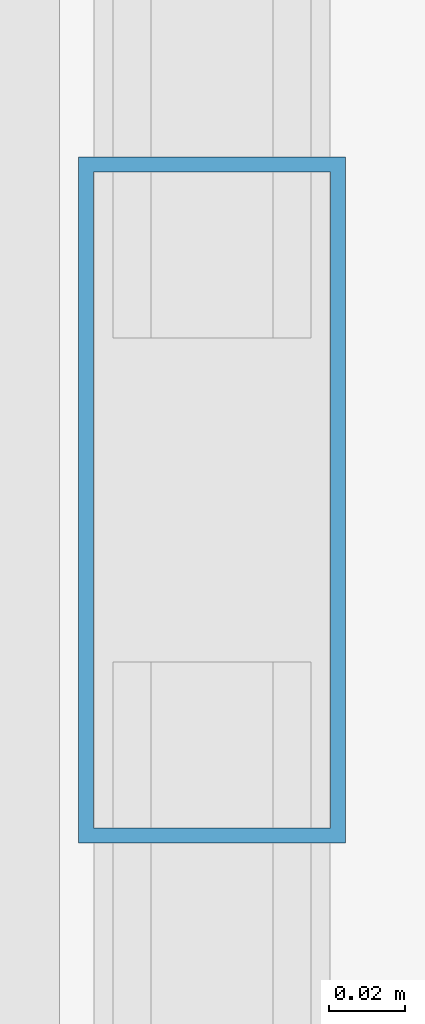
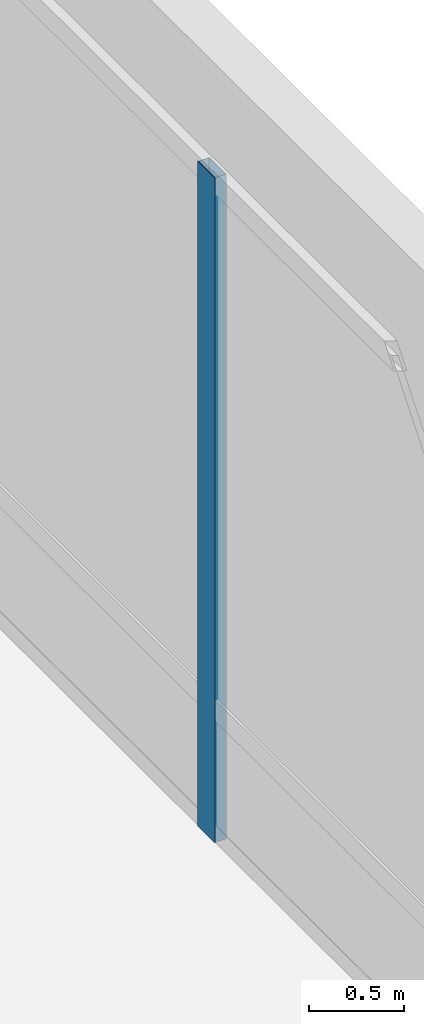
# One storey, part 14 of 28: 1 member, 1 element without a shape of its own.
"""IFC4 building model written with IfcOpenShell, lengths in metres."""

from ifc_helpers import new_model, si_unit, direction, frame, origin, origin_2d, place, context, subcontext, project, spatial, hollow_rectangle, extrude, material, material_profile, profile_set, type_object, element, aggregate, save


model = new_model("IFC4")

# Units and contexts
model_context = context("Model", 3, precision=1e-05, world=origin(), true_north=direction((0.0, 1.0)))
body_context = subcontext(model_context, "Body", "Model", "MODEL_VIEW")
ifc_project = project(units=[si_unit("LENGTHUNIT", "METRE"), si_unit("AREAUNIT", "SQUARE_METRE"), si_unit("VOLUMEUNIT", "CUBIC_METRE"), si_unit("PLANEANGLEUNIT", "RADIAN"), si_unit("MASSUNIT", "GRAM", prefix="KILO")], contexts=[model_context])

# Site, building, storey
site_placement = place(None, origin())
site = spatial("IfcSite", under=ifc_project, at=site_placement, CompositionType="ELEMENT")
building_placement = place(site_placement, origin())
building = spatial("IfcBuilding", under=site, at=building_placement, Name="Punatoya Terracotta Tower", CompositionType="ELEMENT")
storey_placement = place(building_placement, frame((0.0, 0.0, 352.800048828125)))
storey = spatial("IfcBuildingStorey", under=building, at=storey_placement, Name="L83", CompositionType="ELEMENT", Elevation=352.800048828125)

# Curtain wall, member
ifc_material_1 = material(Name="Aluminium 6063-T6 + Double Low-E Glass", Category="aluminium")
curtain_wall_type = type_object("IfcCurtainWallType", Name="CW-CRN", PredefinedType="NOTDEFINED", material=ifc_material_1)
curtain_wall_placement = place(storey_placement, origin())
curtain_wall = element("IfcCurtainWall", 1, at=curtain_wall_placement, inside=storey, type_object=curtain_wall_type, Name="L83 Curtain Wall CW-L83-E05-1", PredefinedType="NOTDEFINED")
ifc_material_2 = material(Name="Aluminium 6063-T6", Category="aluminium")
ifc_material_profile = material_profile(ifc_material_2, hollow_rectangle(XDim=0.070068359375, YDim=0.179931640625, WallThickness=0.00390625, at=origin_2d()))
ifc_profile_set = profile_set([ifc_material_profile], Name="Aluminium 6063-T6")
member_type = type_object("IfcMemberType", Name="CW-MUL-M3", PredefinedType="MULLION", material=ifc_profile_set)
member_placement = place(storey_placement, frame((17.10009765625, 0.0, 0.0), z_axis=(0.0, 0.0, 1.0), x_axis=(1.0, 0.0, 0.0)))
member = element("IfcMember", 2, at=member_placement, type_object=member_type, Name="CW-L83-E05-1 Mullion 05", PredefinedType="MULLION", context=body_context, shape_type="SweptSolid", body=[
    extrude(hollow_rectangle(XDim=0.070068359375, YDim=0.179931640625, WallThickness=0.00390625, at=origin_2d()), origin(), (0.0, 0.0, 1.0), 4.280029296875),
])
aggregate(curtain_wall, [member])

save(model, "model.ifc")
